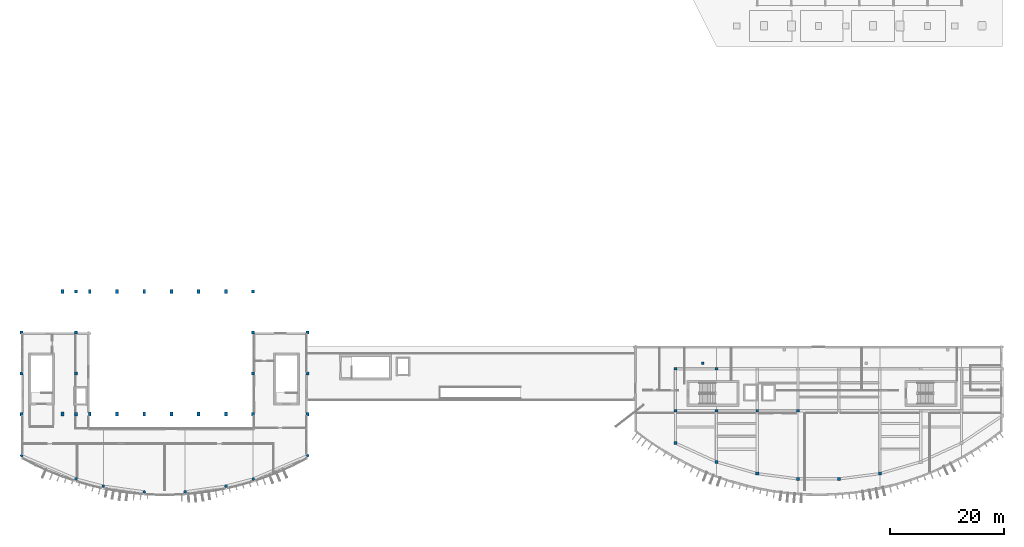
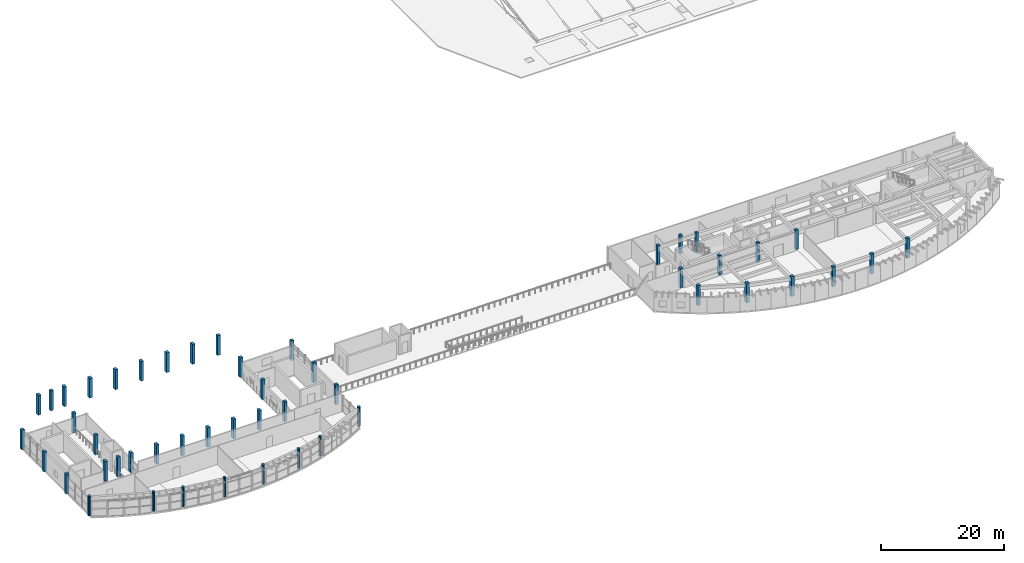
# One storey, part 1 of 32: 49 columns.
"""IFC4 building model written with IfcOpenShell, lengths in metres."""

import ifcopenshell
import ifcopenshell.guid

model = None  # the IFC model being written
_history = None  # IfcOwnerHistory: only IFC2X3 demands one
_inside = {}  # id of a spatial element -> (the spatial element, [elements in it])
_under = {}  # id of a project, library or spatial element -> (it, [spatial elements below it])
_declared = {}  # id of a project -> (the project, [libraries it declares])
_typed = {}  # id of a type object -> (the type object, [elements of that type])
_made_of = {}  # id of a material, layer set ... -> (it, [elements and type objects made of it])


def new_model(schema):
    """Start an empty IFC model of exactly this schema.

    Asked for "IFC4X3", IfcOpenShell would pick the latest addendum, in which some entities
    have other attributes; the version numbers below select the first issue.
    IFC2X3 requires an IfcOwnerHistory on every rooted entity: one is made here for all.
    """
    global model, _history
    if schema == "IFC4X3":
        model = ifcopenshell.file(schema_version=(4, 3, 0, 0))
    else:
        model = ifcopenshell.file(schema=schema)
    _inside.clear()
    _under.clear()
    _declared.clear()
    _typed.clear()
    _made_of.clear()
    _history = None
    if model.schema == "IFC2X3":
        org = make("IfcOrganization", Name="unknown")
        user = make(
            "IfcPersonAndOrganization",
            ThePerson=make("IfcPerson", FamilyName="unknown"),
            TheOrganization=org,
        )
        app = make(
            "IfcApplication",
            ApplicationDeveloper=org,
            Version="unknown",
            ApplicationFullName="unknown",
            ApplicationIdentifier="unknown",
        )
        _history = make(
            "IfcOwnerHistory",
            OwningUser=user,
            OwningApplication=app,
            ChangeAction="ADDED",
            CreationDate=0,
        )
    return model


def make(cls, **values):
    """One entity of the class cls with the attributes given. An attribute that is None is left unset."""
    return model.create_entity(
        cls, **{name: value for name, value in values.items() if value is not None}
    )


def rooted(cls, **values):
    """An entity with a GlobalId (a new one), such as an element, a storey or a relation."""
    return make(cls, GlobalId=ifcopenshell.guid.new(), OwnerHistory=_history, **values)


def si_unit(unit_type, name, prefix=None):
    """IfcSIUnit, for example si_unit("LENGTHUNIT", "METRE", prefix="MILLI")."""
    return make("IfcSIUnit", UnitType=unit_type, Prefix=prefix, Name=name)


def assignment(units):
    """IfcUnitAssignment: the units of a project."""
    return None if units is None else make("IfcUnitAssignment", Units=units)


def point(xyz):
    """IfcCartesianPoint."""
    return None if xyz is None else make("IfcCartesianPoint", Coordinates=xyz)


def direction(xyz):
    """IfcDirection."""
    return None if xyz is None else make("IfcDirection", DirectionRatios=xyz)


def frame(location, z_axis=None, x_axis=None):
    """IfcAxis2Placement3D, a coordinate frame: its origin and axes. An axis left out is left unset."""
    return make(
        "IfcAxis2Placement3D",
        Location=point(location),
        Axis=direction(z_axis),
        RefDirection=direction(x_axis),
    )


def frame_2d(location, x_axis=None):
    """IfcAxis2Placement2D, a coordinate frame in the plane: its origin and x axis."""
    return make(
        "IfcAxis2Placement2D", Location=point(location), RefDirection=direction(x_axis)
    )


def origin():
    """The frame at (0, 0, 0) with its axes left unset."""
    return frame((0.0, 0.0, 0.0))


def origin_2d():
    """The frame at (0, 0) in the plane with its x axis left unset."""
    return frame_2d((0.0, 0.0))


def place(relative_to, where):
    """IfcLocalPlacement: puts the frame where relative to a parent placement (None: the world)."""
    return make(
        "IfcLocalPlacement", PlacementRelTo=relative_to, RelativePlacement=where
    )


def context(
    kind, dimensions, precision=None, world=None, true_north=None, identifier=None
):
    """IfcGeometricRepresentationContext, for example the 3D "Model" context."""
    return make(
        "IfcGeometricRepresentationContext",
        ContextIdentifier=identifier,
        ContextType=kind,
        CoordinateSpaceDimension=dimensions,
        Precision=precision,
        WorldCoordinateSystem=world,
        TrueNorth=true_north,
    )


def subcontext(parent, identifier, kind, view, scale=None):
    """IfcGeometricRepresentationSubContext, for example "Body" below "Model"."""
    return make(
        "IfcGeometricRepresentationSubContext",
        ContextIdentifier=identifier,
        ContextType=kind,
        ParentContext=parent,
        TargetScale=scale,
        TargetView=view,
    )


def project(units=None, contexts=None):
    """IfcProject with its units and contexts."""
    return rooted(
        "IfcProject",
        Name="project",
        RepresentationContexts=contexts,
        UnitsInContext=assignment(units),
    )


def spatial(cls, under=None, at=None, **own):
    """A site, building, storey or space (cls), placed at a placement, below another one or the project."""
    s = rooted(cls, ObjectPlacement=at, **own)
    if under is not None:
        _under.setdefault(under.id(), (under, []))[1].append(s)
    return s


def profile(cls, at=None, kind="AREA", **sizes):
    """A parametric profile (cls). Its sizes go by their IFC names, for example OverallWidth=200.0."""
    return make(cls, ProfileType=kind, Position=at, **sizes)


def rectangle(**sizes):
    """IfcRectangleProfileDef."""
    return profile("IfcRectangleProfileDef", **sizes)


def circle(**sizes):
    """IfcCircleProfileDef."""
    return profile("IfcCircleProfileDef", **sizes)


def extrude(swept, where, along, depth):
    """IfcExtrudedAreaSolid: the profile swept, set in the frame where, extruded along a direction by depth."""
    return make(
        "IfcExtrudedAreaSolid",
        SweptArea=swept,
        Position=where,
        ExtrudedDirection=direction(along),
        Depth=depth,
    )


def shape(context_of_items, identifier, shape_type, items):
    """IfcShapeRepresentation: the items that make up one representation, for example the "Body"."""
    return make(
        "IfcShapeRepresentation",
        ContextOfItems=context_of_items,
        RepresentationIdentifier=identifier,
        RepresentationType=shape_type,
        Items=items,
    )


def material(Name=None, Category=None):
    """IfcMaterial."""
    return make("IfcMaterial", Name=Name, Category=Category)


def material_profile(
    of_material, cross_section, Name=None, Category=None, Priority=None
):
    """IfcMaterialProfile: a cross section and its material."""
    return make(
        "IfcMaterialProfile",
        Name=Name,
        Material=of_material,
        Profile=cross_section,
        Priority=Priority,
        Category=Category,
    )


def profile_set(profiles, Name=None, composite=None):
    """IfcMaterialProfileSet."""
    return make(
        "IfcMaterialProfileSet",
        Name=Name,
        MaterialProfiles=profiles,
        CompositeProfile=composite,
    )


def made_of(thing, what):
    """Note that an element or type object is made of a material, layer set ...; save() writes the relation."""
    if what is not None:
        _made_of.setdefault(what.id(), (what, []))[1].append(thing)
    return thing


def type_object(cls, material=None, **own):
    """A type object (cls), such as IfcWallType, which elements share."""
    return made_of(rooted(cls, **own), material)


def element(
    cls,
    number,
    at=None,
    inside=None,
    cuts=None,
    type_object=None,
    material=None,
    context=None,
    identifier="Body",
    shape_type=None,
    held_by="IfcProductDefinitionShape",
    body=None,
    shapes=None,
    **own,
):
    """One element of the class cls, such as IfcWall. Its Tag is "e" and its number.

    at: its placement. inside: the storey or other place that contains it. cuts: it is an
    opening in that element (IfcRelVoidsElement). A single representation is given by context,
    identifier, shape_type and body (its items); several are given by shapes. held_by: the class
    of the entity that holds the representations. save() writes the other relations.
    """
    e = rooted(cls, Tag="e%d" % number, ObjectPlacement=at, **own)
    if body is not None:
        shapes = [shape(context, identifier, shape_type, body)]
    if shapes is not None:
        e.Representation = make(held_by, Representations=shapes)
    if inside is not None:
        _inside.setdefault(inside.id(), (inside, []))[1].append(e)
    if cuts is not None:
        rooted(
            "IfcRelVoidsElement", RelatingBuildingElement=cuts, RelatedOpeningElement=e
        )
    if type_object is not None:
        _typed.setdefault(type_object.id(), (type_object, []))[1].append(e)
    return made_of(e, material)


def aggregate(whole, parts):
    """IfcRelAggregates: a whole, such as a stair, and the parts it consists of."""
    return rooted("IfcRelAggregates", RelatingObject=whole, RelatedObjects=parts)


def save(model, path):
    """Write the relations noted so far, then the file.

    IfcRelAggregates (storeys below a building ...), IfcRelContainedInSpatialStructure (elements
    in a storey), IfcRelDefinesByType, IfcRelAssociatesMaterial and IfcRelDeclares: one each for
    every whole, place, type object, material and project.
    """
    for whole, parts in _under.values():
        aggregate(whole, parts)
    for where, things in _inside.values():
        rooted(
            "IfcRelContainedInSpatialStructure",
            RelatedElements=things,
            RelatingStructure=where,
        )
    for kind, things in _typed.values():
        rooted("IfcRelDefinesByType", RelatedObjects=things, RelatingType=kind)
    for what, things in _made_of.values():
        rooted("IfcRelAssociatesMaterial", RelatedObjects=things, RelatingMaterial=what)
    for by, libraries in _declared.values():
        rooted("IfcRelDeclares", RelatingContext=by, RelatedDefinitions=libraries)
    model.write(path)


model = new_model("IFC4")

# Units and contexts
model_context = context("Model", 3, precision=1e-05, world=origin(), true_north=direction((0.0, 1.0)))
body_context = subcontext(model_context, "Body", "Model", "MODEL_VIEW")
ifc_project = project(units=[si_unit("LENGTHUNIT", "METRE"), si_unit("AREAUNIT", "SQUARE_METRE"), si_unit("VOLUMEUNIT", "CUBIC_METRE"), si_unit("PLANEANGLEUNIT", "RADIAN"), si_unit("MASSUNIT", "GRAM", prefix="KILO")], contexts=[model_context])

# Site, building, storey
site_placement = place(None, origin())
site = spatial("IfcSite", under=ifc_project, at=site_placement, CompositionType="ELEMENT")
building_placement = place(site_placement, origin())
building = spatial("IfcBuilding", under=site, at=building_placement, Name="Brisavento Harbour Community Centre", CompositionType="ELEMENT")
storey_placement = place(building_placement, frame((0.0, 0.0, 12.89990234375)))
storey = spatial("IfcBuildingStorey", under=building, at=storey_placement, Name="L03", CompositionType="ELEMENT", Elevation=12.89990234375)

# Columns
ifc_material = material(Name="Concrete C35/45", Category="concrete")
ifc_material_profile_1 = material_profile(ifc_material, rectangle(XDim=0.449951171875, YDim=0.449951171875, at=origin_2d()), Name="Concrete C35/45")
ifc_profile_set_1 = profile_set([ifc_material_profile_1], Name="Concrete C35/45")
column_type_1 = type_object("IfcColumnType", Name="COL-RC-450", PredefinedType="COLUMN", material=ifc_profile_set_1)
column_placement = place(storey_placement, frame((120.0, 23.39990234375, 0.0), z_axis=(0.0, 0.0, 1.0), x_axis=(1.0, 0.0, 0.0)))
element("IfcColumn", 1, at=column_placement, inside=storey, type_object=column_type_1, Name="L03 column V3TER-120", PredefinedType="COLUMN", context=body_context, shape_type="SweptSolid", body=[
    extrude(rectangle(XDim=0.449951171875, YDim=0.449951171875, at=origin_2d()), origin(), (0.0, 0.0, 1.0), 3.670166015625),
])
ifc_material_profile_2 = material_profile(ifc_material, rectangle(XDim=0.5, YDim=0.5, at=origin_2d()), Name="Concrete C35/45")
ifc_profile_set_2 = profile_set([ifc_material_profile_2], Name="Concrete C35/45")
column_type_2 = type_object("IfcColumnType", Name="COL-RC-500", PredefinedType="COLUMN", material=ifc_profile_set_2)
for number, where, z_axis, x_axis, name in (
    (2, (115.199951171875, 15.0, 0.0), (0.0, 0.0, 1.0), (1.0, 0.0, 0.0), "L03 column V3M-115"),
    (3, (115.199951171875, 22.39990234375, 0.0), (0.0, 0.0, 1.0), (1.0, 0.0, 0.0), "L03 column V3N1-115"),
    (4, (122.39990234375, 15.0, 0.0), (0.0, 0.0, 1.0), (1.0, 0.0, 0.0), "L03 column V3M-122"),
    (5, (122.39990234375, 22.39990234375, 0.0), (0.0, 0.0, 1.0), (1.0, 0.0, 0.0), "L03 column V3N1-122"),
    (6, (129.60009765625, 15.0, 0.0), (0.0, 0.0, 1.0), (1.0, 0.0, 0.0), "L03 column V3M-129"),
    (7, (136.800048828125, 15.0, 0.0), (0.0, 0.0, 1.0), (1.0, 0.0, 0.0), "L03 column V3M-136"),
):
    element("IfcColumn", number, at=place(storey_placement, frame(where, z_axis=z_axis, x_axis=x_axis)), inside=storey, type_object=column_type_2, Name=name, PredefinedType="COLUMN", context=body_context, shape_type="SweptSolid", body=[
        extrude(rectangle(XDim=0.5, YDim=0.5, at=origin_2d()), origin(), (0.0, 0.0, 1.0), 3.900146484375),
    ])
ifc_material_profile_3 = material_profile(ifc_material, rectangle(XDim=0.550048828125, YDim=0.550048828125, at=origin_2d()), Name="Concrete C35/45")
ifc_profile_set_3 = profile_set([ifc_material_profile_3], Name="Concrete C35/45")
column_type_3 = type_object("IfcColumnType", Name="COL-RC-550", PredefinedType="COLUMN", material=ifc_profile_set_3)
for number, where, z_axis, x_axis, name in (
    (8, (0.0, 14.39990234375, 0.0), (0.0, 0.0, 1.0), (1.0, 0.0, 0.0), "L03 column V1F-0-14"),
    (9, (0.0, 21.60009765625, 0.0), (0.0, 0.0, 1.0), (1.0, 0.0, 0.0), "L03 column V1F-0-22"),
    (10, (0.0, 28.800048828125, 0.0), (0.0, 0.0, 1.0), (1.0, 0.0, 0.0), "L03 column V1F-0-29"),
    (11, (9.60009765625, 14.39990234375, 0.0), (0.0, 0.0, 1.0), (1.0, 0.0, 0.0), "L03 column V1F-10-14"),
    (12, (9.60009765625, 21.60009765625, 0.0), (0.0, 0.0, 1.0), (1.0, 0.0, 0.0), "L03 column V1F-10-22"),
    (13, (9.60009765625, 28.800048828125, 0.0), (0.0, 0.0, 1.0), (1.0, 0.0, 0.0), "L03 column V1F-10-29"),
    (14, (9.60009765625, 36.0, 0.0), (0.0, 0.0, 1.0), (1.0, 0.0, 0.0), "L03 column V1F-10-36"),
    (15, (40.800048828125, 14.39990234375, 0.0), (0.0, 0.0, 1.0), (1.0, 0.0, 0.0), "L03 column V1F-41-14"),
    (16, (40.800048828125, 21.60009765625, 0.0), (0.0, 0.0, 1.0), (1.0, 0.0, 0.0), "L03 column V1F-41-22"),
    (17, (40.800048828125, 28.800048828125, 0.0), (0.0, 0.0, 1.0), (1.0, 0.0, 0.0), "L03 column V1F-41-29"),
    (18, (40.800048828125, 36.0, 0.0), (0.0, 0.0, 1.0), (1.0, 0.0, 0.0), "L03 column V1F-41-36"),
    (19, (50.39990234375, 14.39990234375, 0.0), (0.0, 0.0, 1.0), (1.0, 0.0, 0.0), "L03 column V1F-50-14"),
    (20, (50.39990234375, 21.60009765625, 0.0), (0.0, 0.0, 1.0), (1.0, 0.0, 0.0), "L03 column V1F-50-22"),
    (21, (50.39990234375, 28.800048828125, 0.0), (0.0, 0.0, 1.0), (1.0, 0.0, 0.0), "L03 column V1F-50-29"),
    (22, (115.199951171875, 9.31396484375, 0.0), (0.0, 0.0, 1.0), (1.0, 0.0, 0.0), "L03 column V3S-115"),
    (23, (122.39990234375, 6.014892578125, 0.0), (0.0, 0.0, 1.0), (1.0, 0.0, 0.0), "L03 column V3S-122"),
    (24, (129.60009765625, 3.93408203125, 0.0), (0.0, 0.0, 1.0), (1.0, 0.0, 0.0), "L03 column V3S-129"),
    (25, (136.800048828125, 3.0, 0.0), (0.0, 0.0, 1.0), (1.0, 0.0, 0.0), "L03 column V3S-136"),
    (26, (144.0, 3.0, 0.0), (0.0, 0.0, 1.0), (1.0, 0.0, 0.0), "L03 column V3S-144"),
    (27, (151.199951171875, 3.93408203125, 0.0), (0.0, 0.0, 1.0), (1.0, 0.0, 0.0), "L03 column V3S-151"),
):
    element("IfcColumn", number, at=place(storey_placement, frame(where, z_axis=z_axis, x_axis=x_axis)), inside=storey, type_object=column_type_3, Name=name, PredefinedType="COLUMN", context=body_context, shape_type="SweptSolid", body=[
        extrude(rectangle(XDim=0.550048828125, YDim=0.550048828125, at=origin_2d()), origin(), (0.0, 0.0, 1.0), 3.900146484375),
    ])
ifc_material_profile_4 = material_profile(ifc_material, rectangle(XDim=0.5, YDim=0.699951171875, at=origin_2d()), Name="Concrete C35/45")
ifc_profile_set_4 = profile_set([ifc_material_profile_4], Name="Concrete C35/45")
column_type_4 = type_object("IfcColumnType", Name="COL-RC-700x500", PredefinedType="COLUMN", material=ifc_profile_set_4)
for number, where, z_axis, x_axis, name in (
    (28, (7.199951171875, 14.39990234375, 0.0), (0.0, 0.0, 1.0), (1.0, 0.0, 0.0), "L03 column V1AR-1-14"),
    (29, (7.199951171875, 36.0, 0.0), (0.0, 0.0, 1.0), (1.0, 0.0, 0.0), "L03 column V1AR-1-36"),
    (30, (12.0, 14.39990234375, 0.0), (0.0, 0.0, 1.0), (1.0, 0.0, 0.0), "L03 column V1AR-2-14"),
    (31, (12.0, 36.0, 0.0), (0.0, 0.0, 1.0), (1.0, 0.0, 0.0), "L03 column V1AR-2-36"),
    (32, (16.800048828125, 14.39990234375, 0.0), (0.0, 0.0, 1.0), (1.0, 0.0, 0.0), "L03 column V1AR-3-14"),
    (33, (16.800048828125, 36.0, 0.0), (0.0, 0.0, 1.0), (1.0, 0.0, 0.0), "L03 column V1AR-3-36"),
    (34, (21.60009765625, 14.39990234375, 0.0), (0.0, 0.0, 1.0), (1.0, 0.0, 0.0), "L03 column V1AR-4-14"),
    (35, (21.60009765625, 36.0, 0.0), (0.0, 0.0, 1.0), (1.0, 0.0, 0.0), "L03 column V1AR-4-36"),
    (36, (26.39990234375, 14.39990234375, 0.0), (0.0, 0.0, 1.0), (1.0, 0.0, 0.0), "L03 column V1AR-5-14"),
    (37, (26.39990234375, 36.0, 0.0), (0.0, 0.0, 1.0), (1.0, 0.0, 0.0), "L03 column V1AR-5-36"),
    (38, (31.199951171875, 14.39990234375, 0.0), (0.0, 0.0, 1.0), (1.0, 0.0, 0.0), "L03 column V1AR-6-14"),
    (39, (31.199951171875, 36.0, 0.0), (0.0, 0.0, 1.0), (1.0, 0.0, 0.0), "L03 column V1AR-6-36"),
    (40, (36.0, 14.39990234375, 0.0), (0.0, 0.0, 1.0), (1.0, 0.0, 0.0), "L03 column V1AR-7-14"),
    (41, (36.0, 36.0, 0.0), (0.0, 0.0, 1.0), (1.0, 0.0, 0.0), "L03 column V1AR-7-36"),
):
    element("IfcColumn", number, at=place(storey_placement, frame(where, z_axis=z_axis, x_axis=x_axis)), inside=storey, type_object=column_type_4, Name=name, PredefinedType="COLUMN", context=body_context, shape_type="SweptSolid", body=[
        extrude(rectangle(XDim=0.5, YDim=0.699951171875, at=origin_2d()), origin(), (0.0, 0.0, 1.0), 3.900146484375),
    ])
ifc_material_profile_5 = material_profile(ifc_material, circle(Radius=0.25, at=origin_2d()), Name="Concrete C35/45")
ifc_profile_set_5 = profile_set([ifc_material_profile_5], Name="Concrete C35/45")
column_type_5 = type_object("IfcColumnType", Name="COL-RC-D500", PredefinedType="COLUMN", material=ifc_profile_set_5)
for number, where, z_axis, x_axis, name in (
    (42, (0.0, 7.1142578125, 0.0), (0.0, 0.0, 1.0), (1.0, 0.0, 0.0), "L03 column V1S-1"),
    (43, (9.60009765625, 2.9951171875, 0.0), (0.0, 0.0, 1.0), (1.0, 0.0, 0.0), "L03 column V1S-2"),
    (44, (14.39990234375, 1.73388671875, 0.0), (0.0, 0.0, 1.0), (1.0, 0.0, 0.0), "L03 column V1S-3"),
    (45, (21.60009765625, 0.724853515625, 0.0), (0.0, 0.0, 1.0), (1.0, 0.0, 0.0), "L03 column V1S-4"),
    (46, (28.800048828125, 0.724853515625, 0.0), (0.0, 0.0, 1.0), (1.0, 0.0, 0.0), "L03 column V1S-5"),
    (47, (36.0, 1.73388671875, 0.0), (0.0, 0.0, 1.0), (1.0, 0.0, 0.0), "L03 column V1S-6"),
    (48, (40.800048828125, 2.9951171875, 0.0), (0.0, 0.0, 1.0), (1.0, 0.0, 0.0), "L03 column V1S-7"),
    (49, (50.39990234375, 7.1142578125, 0.0), (0.0, 0.0, 1.0), (1.0, 0.0, 0.0), "L03 column V1S-8"),
):
    element("IfcColumn", number, at=place(storey_placement, frame(where, z_axis=z_axis, x_axis=x_axis)), inside=storey, type_object=column_type_5, Name=name, PredefinedType="COLUMN", context=body_context, shape_type="SweptSolid", body=[
        extrude(circle(Radius=0.25, at=origin_2d()), origin(), (0.0, 0.0, 1.0), 3.900146484375),
    ])

save(model, "model.ifc")
